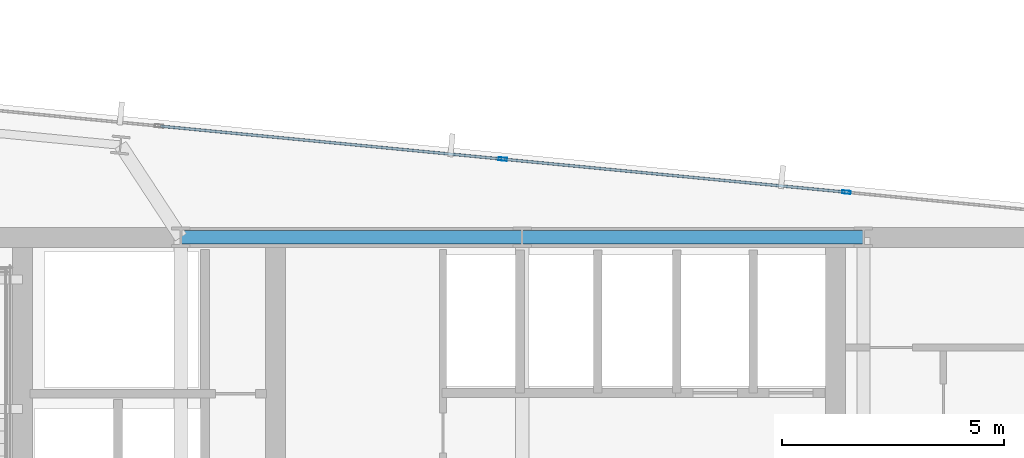
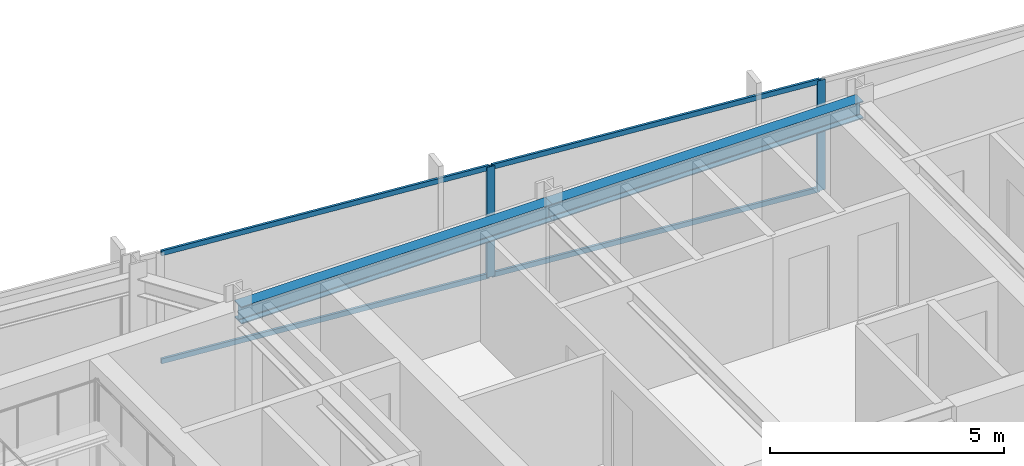
# One storey, part 26 of 37: 6 members, 2 beams, 1 element without a shape of its own.
"""IFC4 building model written with IfcOpenShell, lengths in metres."""

import ifcopenshell
import ifcopenshell.guid

model = None  # the IFC model being written
_history = None  # IfcOwnerHistory: only IFC2X3 demands one
_inside = {}  # id of a spatial element -> (the spatial element, [elements in it])
_under = {}  # id of a project, library or spatial element -> (it, [spatial elements below it])
_declared = {}  # id of a project -> (the project, [libraries it declares])
_typed = {}  # id of a type object -> (the type object, [elements of that type])
_made_of = {}  # id of a material, layer set ... -> (it, [elements and type objects made of it])


def new_model(schema):
    """Start an empty IFC model of exactly this schema.

    Asked for "IFC4X3", IfcOpenShell would pick the latest addendum, in which some entities
    have other attributes; the version numbers below select the first issue.
    IFC2X3 requires an IfcOwnerHistory on every rooted entity: one is made here for all.
    """
    global model, _history
    if schema == "IFC4X3":
        model = ifcopenshell.file(schema_version=(4, 3, 0, 0))
    else:
        model = ifcopenshell.file(schema=schema)
    _inside.clear()
    _under.clear()
    _declared.clear()
    _typed.clear()
    _made_of.clear()
    _history = None
    if model.schema == "IFC2X3":
        org = make("IfcOrganization", Name="unknown")
        user = make(
            "IfcPersonAndOrganization",
            ThePerson=make("IfcPerson", FamilyName="unknown"),
            TheOrganization=org,
        )
        app = make(
            "IfcApplication",
            ApplicationDeveloper=org,
            Version="unknown",
            ApplicationFullName="unknown",
            ApplicationIdentifier="unknown",
        )
        _history = make(
            "IfcOwnerHistory",
            OwningUser=user,
            OwningApplication=app,
            ChangeAction="ADDED",
            CreationDate=0,
        )
    return model


def make(cls, **values):
    """One entity of the class cls with the attributes given. An attribute that is None is left unset."""
    return model.create_entity(
        cls, **{name: value for name, value in values.items() if value is not None}
    )


def rooted(cls, **values):
    """An entity with a GlobalId (a new one), such as an element, a storey or a relation."""
    return make(cls, GlobalId=ifcopenshell.guid.new(), OwnerHistory=_history, **values)


def si_unit(unit_type, name, prefix=None):
    """IfcSIUnit, for example si_unit("LENGTHUNIT", "METRE", prefix="MILLI")."""
    return make("IfcSIUnit", UnitType=unit_type, Prefix=prefix, Name=name)


def assignment(units):
    """IfcUnitAssignment: the units of a project."""
    return None if units is None else make("IfcUnitAssignment", Units=units)


def point(xyz):
    """IfcCartesianPoint."""
    return None if xyz is None else make("IfcCartesianPoint", Coordinates=xyz)


def direction(xyz):
    """IfcDirection."""
    return None if xyz is None else make("IfcDirection", DirectionRatios=xyz)


def frame(location, z_axis=None, x_axis=None):
    """IfcAxis2Placement3D, a coordinate frame: its origin and axes. An axis left out is left unset."""
    return make(
        "IfcAxis2Placement3D",
        Location=point(location),
        Axis=direction(z_axis),
        RefDirection=direction(x_axis),
    )


def frame_2d(location, x_axis=None):
    """IfcAxis2Placement2D, a coordinate frame in the plane: its origin and x axis."""
    return make(
        "IfcAxis2Placement2D", Location=point(location), RefDirection=direction(x_axis)
    )


def origin():
    """The frame at (0, 0, 0) with its axes left unset."""
    return frame((0.0, 0.0, 0.0))


def origin_2d():
    """The frame at (0, 0) in the plane with its x axis left unset."""
    return frame_2d((0.0, 0.0))


def place(relative_to, where):
    """IfcLocalPlacement: puts the frame where relative to a parent placement (None: the world)."""
    return make(
        "IfcLocalPlacement", PlacementRelTo=relative_to, RelativePlacement=where
    )


def context(
    kind, dimensions, precision=None, world=None, true_north=None, identifier=None
):
    """IfcGeometricRepresentationContext, for example the 3D "Model" context."""
    return make(
        "IfcGeometricRepresentationContext",
        ContextIdentifier=identifier,
        ContextType=kind,
        CoordinateSpaceDimension=dimensions,
        Precision=precision,
        WorldCoordinateSystem=world,
        TrueNorth=true_north,
    )


def subcontext(parent, identifier, kind, view, scale=None):
    """IfcGeometricRepresentationSubContext, for example "Body" below "Model"."""
    return make(
        "IfcGeometricRepresentationSubContext",
        ContextIdentifier=identifier,
        ContextType=kind,
        ParentContext=parent,
        TargetScale=scale,
        TargetView=view,
    )


def project(units=None, contexts=None):
    """IfcProject with its units and contexts."""
    return rooted(
        "IfcProject",
        Name="project",
        RepresentationContexts=contexts,
        UnitsInContext=assignment(units),
    )


def spatial(cls, under=None, at=None, **own):
    """A site, building, storey or space (cls), placed at a placement, below another one or the project."""
    s = rooted(cls, ObjectPlacement=at, **own)
    if under is not None:
        _under.setdefault(under.id(), (under, []))[1].append(s)
    return s


def profile(cls, at=None, kind="AREA", **sizes):
    """A parametric profile (cls). Its sizes go by their IFC names, for example OverallWidth=200.0."""
    return make(cls, ProfileType=kind, Position=at, **sizes)


def hollow_rectangle(**sizes):
    """IfcRectangleHollowProfileDef."""
    return profile("IfcRectangleHollowProfileDef", **sizes)


def i_section(**sizes):
    """IfcIShapeProfileDef."""
    return profile("IfcIShapeProfileDef", **sizes)


def extrude(swept, where, along, depth):
    """IfcExtrudedAreaSolid: the profile swept, set in the frame where, extruded along a direction by depth."""
    return make(
        "IfcExtrudedAreaSolid",
        SweptArea=swept,
        Position=where,
        ExtrudedDirection=direction(along),
        Depth=depth,
    )


def shape(context_of_items, identifier, shape_type, items):
    """IfcShapeRepresentation: the items that make up one representation, for example the "Body"."""
    return make(
        "IfcShapeRepresentation",
        ContextOfItems=context_of_items,
        RepresentationIdentifier=identifier,
        RepresentationType=shape_type,
        Items=items,
    )


def material(Name=None, Category=None):
    """IfcMaterial."""
    return make("IfcMaterial", Name=Name, Category=Category)


def material_profile(
    of_material, cross_section, Name=None, Category=None, Priority=None
):
    """IfcMaterialProfile: a cross section and its material."""
    return make(
        "IfcMaterialProfile",
        Name=Name,
        Material=of_material,
        Profile=cross_section,
        Priority=Priority,
        Category=Category,
    )


def profile_set(profiles, Name=None, composite=None):
    """IfcMaterialProfileSet."""
    return make(
        "IfcMaterialProfileSet",
        Name=Name,
        MaterialProfiles=profiles,
        CompositeProfile=composite,
    )


def made_of(thing, what):
    """Note that an element or type object is made of a material, layer set ...; save() writes the relation."""
    if what is not None:
        _made_of.setdefault(what.id(), (what, []))[1].append(thing)
    return thing


def type_object(cls, material=None, **own):
    """A type object (cls), such as IfcWallType, which elements share."""
    return made_of(rooted(cls, **own), material)


def element(
    cls,
    number,
    at=None,
    inside=None,
    cuts=None,
    type_object=None,
    material=None,
    context=None,
    identifier="Body",
    shape_type=None,
    held_by="IfcProductDefinitionShape",
    body=None,
    shapes=None,
    **own,
):
    """One element of the class cls, such as IfcWall. Its Tag is "e" and its number.

    at: its placement. inside: the storey or other place that contains it. cuts: it is an
    opening in that element (IfcRelVoidsElement). A single representation is given by context,
    identifier, shape_type and body (its items); several are given by shapes. held_by: the class
    of the entity that holds the representations. save() writes the other relations.
    """
    e = rooted(cls, Tag="e%d" % number, ObjectPlacement=at, **own)
    if body is not None:
        shapes = [shape(context, identifier, shape_type, body)]
    if shapes is not None:
        e.Representation = make(held_by, Representations=shapes)
    if inside is not None:
        _inside.setdefault(inside.id(), (inside, []))[1].append(e)
    if cuts is not None:
        rooted(
            "IfcRelVoidsElement", RelatingBuildingElement=cuts, RelatedOpeningElement=e
        )
    if type_object is not None:
        _typed.setdefault(type_object.id(), (type_object, []))[1].append(e)
    return made_of(e, material)


def aggregate(whole, parts):
    """IfcRelAggregates: a whole, such as a stair, and the parts it consists of."""
    return rooted("IfcRelAggregates", RelatingObject=whole, RelatedObjects=parts)


def save(model, path):
    """Write the relations noted so far, then the file.

    IfcRelAggregates (storeys below a building ...), IfcRelContainedInSpatialStructure (elements
    in a storey), IfcRelDefinesByType, IfcRelAssociatesMaterial and IfcRelDeclares: one each for
    every whole, place, type object, material and project.
    """
    for whole, parts in _under.values():
        aggregate(whole, parts)
    for where, things in _inside.values():
        rooted(
            "IfcRelContainedInSpatialStructure",
            RelatedElements=things,
            RelatingStructure=where,
        )
    for kind, things in _typed.values():
        rooted("IfcRelDefinesByType", RelatedObjects=things, RelatingType=kind)
    for what, things in _made_of.values():
        rooted("IfcRelAssociatesMaterial", RelatedObjects=things, RelatingMaterial=what)
    for by, libraries in _declared.values():
        rooted("IfcRelDeclares", RelatingContext=by, RelatedDefinitions=libraries)
    model.write(path)


model = new_model("IFC4")

# Units and contexts
model_context = context("Model", 3, precision=1e-05, world=origin(), true_north=direction((0.0, 1.0)))
body_context = subcontext(model_context, "Body", "Model", "MODEL_VIEW")
ifc_project = project(units=[si_unit("LENGTHUNIT", "METRE"), si_unit("AREAUNIT", "SQUARE_METRE"), si_unit("VOLUMEUNIT", "CUBIC_METRE"), si_unit("PLANEANGLEUNIT", "RADIAN"), si_unit("MASSUNIT", "GRAM", prefix="KILO")], contexts=[model_context])

# Site, building, storey
site_placement = place(None, origin())
site = spatial("IfcSite", under=ifc_project, at=site_placement, CompositionType="ELEMENT")
building_placement = place(site_placement, origin())
building = spatial("IfcBuilding", under=site, at=building_placement, Name="Yelkora Congress Tower", CompositionType="ELEMENT")
storey_placement = place(building_placement, frame((0.0, 0.0, 188.60009765625)))
storey = spatial("IfcBuildingStorey", under=building, at=storey_placement, Name="L52", CompositionType="ELEMENT", Elevation=188.60009765625)

# Beams
ifc_material_1 = material(Name="Steel S355J2", Category="steel")
ifc_material_profile_1 = material_profile(ifc_material_1, i_section(OverallWidth=0.300048828125, OverallDepth=0.449951171875, WebThickness=0.013916015625, FlangeThickness=0.02587890625, FilletRadius=0.027099609375, at=origin_2d()), Name="HEB 450")
ifc_profile_set_1 = profile_set([ifc_material_profile_1], Name="Steel S355J2")
beam_type = type_object("IfcBeamType", Name="BM-GIRD-HEB450", PredefinedType="BEAM", material=ifc_profile_set_1)
beam_1_placement = place(storey_placement, frame((30.719970703125, 46.199951171875, 2.65478515625), z_axis=(1.0, 0.0, 0.0), x_axis=(0.0, 1.0, 0.0)))
element("IfcBeam", 1, at=beam_1_placement, inside=storey, type_object=beam_type, Name="L52 Core North Girder 3", PredefinedType="BEAM", context=body_context, shape_type="SweptSolid", body=[
    extrude(i_section(OverallWidth=0.300048828125, OverallDepth=0.449951171875, WebThickness=0.013916015625, FlangeThickness=0.02587890625, FilletRadius=0.027099609375, at=origin_2d()), origin(), (0.0, 0.0, 1.0), 7.679931640625),
])
beam_2_placement = place(storey_placement, frame((38.39990234375, 46.199951171875, 2.65478515625), z_axis=(1.0, 0.0, 0.0), x_axis=(0.0, 1.0, 0.0)))
element("IfcBeam", 2, at=beam_2_placement, inside=storey, type_object=beam_type, Name="L52 Core North Girder 4", PredefinedType="BEAM", context=body_context, shape_type="SweptSolid", body=[
    extrude(i_section(OverallWidth=0.300048828125, OverallDepth=0.449951171875, WebThickness=0.013916015625, FlangeThickness=0.02587890625, FilletRadius=0.027099609375, at=origin_2d()), origin(), (0.0, 0.0, 1.0), 7.68017578125),
])

# Curtain wall, members
ifc_material_2 = material(Name="Anodised aluminium and insulated glass", Category="aluminium")
curtain_wall_type = type_object("IfcCurtainWallType", Name="CW-SYS-B3", PredefinedType="NOTDEFINED", material=ifc_material_2)
curtain_wall_placement = place(storey_placement, origin())
curtain_wall = element("IfcCurtainWall", 3, at=curtain_wall_placement, inside=storey, type_object=curtain_wall_type, Name="L52 Unitised Curtain Wall 10 (1)", PredefinedType="NOTDEFINED")
ifc_material_3 = material(Name="Anodised aluminium 6063-T6", Category="aluminium")
ifc_material_profile_2 = material_profile(ifc_material_3, hollow_rectangle(XDim=0.070068359375, YDim=0.18994140625, WallThickness=0.00390625, at=origin_2d()), Name="ALU 70x190x4")
ifc_profile_set_2 = profile_set([ifc_material_profile_2], Name="Anodised aluminium 6063-T6")
member_type_1 = type_object("IfcMemberType", Name="MEM-ML-B3", PredefinedType="MULLION", material=ifc_profile_set_2)
member_1_placement = place(storey_placement, frame((37.9638671875, 47.958984375, 0.0), z_axis=(0.0, 0.0, 1.0), x_axis=(0.095844761168, 0.995396293823, 0.0)))
member_1 = element("IfcMember", 4, at=member_1_placement, type_object=member_type_1, Name="CW-B3 mullion 5", PredefinedType="MULLION", context=body_context, shape_type="SweptSolid", body=[
    extrude(hollow_rectangle(XDim=0.070068359375, YDim=0.18994140625, WallThickness=0.00390625, at=origin_2d()), origin(), (0.0, 0.0, 1.0), 2.8798828125),
])
member_2_placement = place(storey_placement, frame((45.697509765625, 47.21435546875, 0.0), z_axis=(0.0, 0.0, 1.0), x_axis=(0.095844761168, 0.995396293823, 0.0)))
member_2 = element("IfcMember", 5, at=member_2_placement, type_object=member_type_1, Name="CW-B3 mullion 6", PredefinedType="MULLION", context=body_context, shape_type="SweptSolid", body=[
    extrude(hollow_rectangle(XDim=0.070068359375, YDim=0.18994140625, WallThickness=0.00390625, at=origin_2d()), origin(), (0.0, 0.0, 1.0), 2.8798828125),
])
ifc_material_profile_3 = material_profile(ifc_material_3, hollow_rectangle(XDim=0.06005859375, YDim=0.1298828125, WallThickness=0.00390625, at=origin_2d()), Name="ALU 60x130x4")
ifc_profile_set_3 = profile_set([ifc_material_profile_3], Name="Anodised aluminium 6063-T6")
member_type_2 = type_object("IfcMemberType", Name="MEM-TR-B3", PredefinedType="USERDEFINED", material=ifc_profile_set_3)
member_3_placement = place(storey_placement, frame((30.26513671875, 48.7001953125, 0.02978515625), z_axis=(0.995398042106, -0.095826602633, 0.0), x_axis=(0.095826602633, 0.995398042106, 0.0)))
member_3 = element("IfcMember", 6, at=member_3_placement, type_object=member_type_2, Name="CW-B3 transom 4.1", ObjectType="TRANSOM", PredefinedType="USERDEFINED", context=body_context, shape_type="SweptSolid", body=[
    extrude(hollow_rectangle(XDim=0.06005859375, YDim=0.1298828125, WallThickness=0.00390625, at=origin_2d()), origin(), (0.0, 0.0, 1.0), 7.69921875),
])
member_4_placement = place(storey_placement, frame((30.26513671875, 48.7001953125, 2.849853515625), z_axis=(0.995398042106, -0.095826602633, 0.0), x_axis=(0.095826602633, 0.995398042106, 0.0)))
member_4 = element("IfcMember", 7, at=member_4_placement, type_object=member_type_2, Name="CW-B3 transom 4.2", ObjectType="TRANSOM", PredefinedType="USERDEFINED", context=body_context, shape_type="SweptSolid", body=[
    extrude(hollow_rectangle(XDim=0.06005859375, YDim=0.1298828125, WallThickness=0.00390625, at=origin_2d()), origin(), (0.0, 0.0, 1.0), 7.69921875),
])
member_5_placement = place(storey_placement, frame((37.998779296875, 47.95556640625, 0.02978515625), z_axis=(0.995398042106, -0.095826602633, 0.0), x_axis=(0.095826602633, 0.995398042106, 0.0)))
member_5 = element("IfcMember", 8, at=member_5_placement, type_object=member_type_2, Name="CW-B3 transom 5.1", ObjectType="TRANSOM", PredefinedType="USERDEFINED", context=body_context, shape_type="SweptSolid", body=[
    extrude(hollow_rectangle(XDim=0.06005859375, YDim=0.1298828125, WallThickness=0.00390625, at=origin_2d()), origin(), (0.0, 0.0, 1.0), 7.69921875),
])
member_6_placement = place(storey_placement, frame((37.998779296875, 47.95556640625, 2.849853515625), z_axis=(0.995398042106, -0.095826602633, 0.0), x_axis=(0.095826602633, 0.995398042106, 0.0)))
member_6 = element("IfcMember", 9, at=member_6_placement, type_object=member_type_2, Name="CW-B3 transom 5.2", ObjectType="TRANSOM", PredefinedType="USERDEFINED", context=body_context, shape_type="SweptSolid", body=[
    extrude(hollow_rectangle(XDim=0.06005859375, YDim=0.1298828125, WallThickness=0.00390625, at=origin_2d()), origin(), (0.0, 0.0, 1.0), 7.69921875),
])
aggregate(curtain_wall, [member_1, member_2, member_3, member_4, member_5, member_6])

save(model, "model.ifc")
